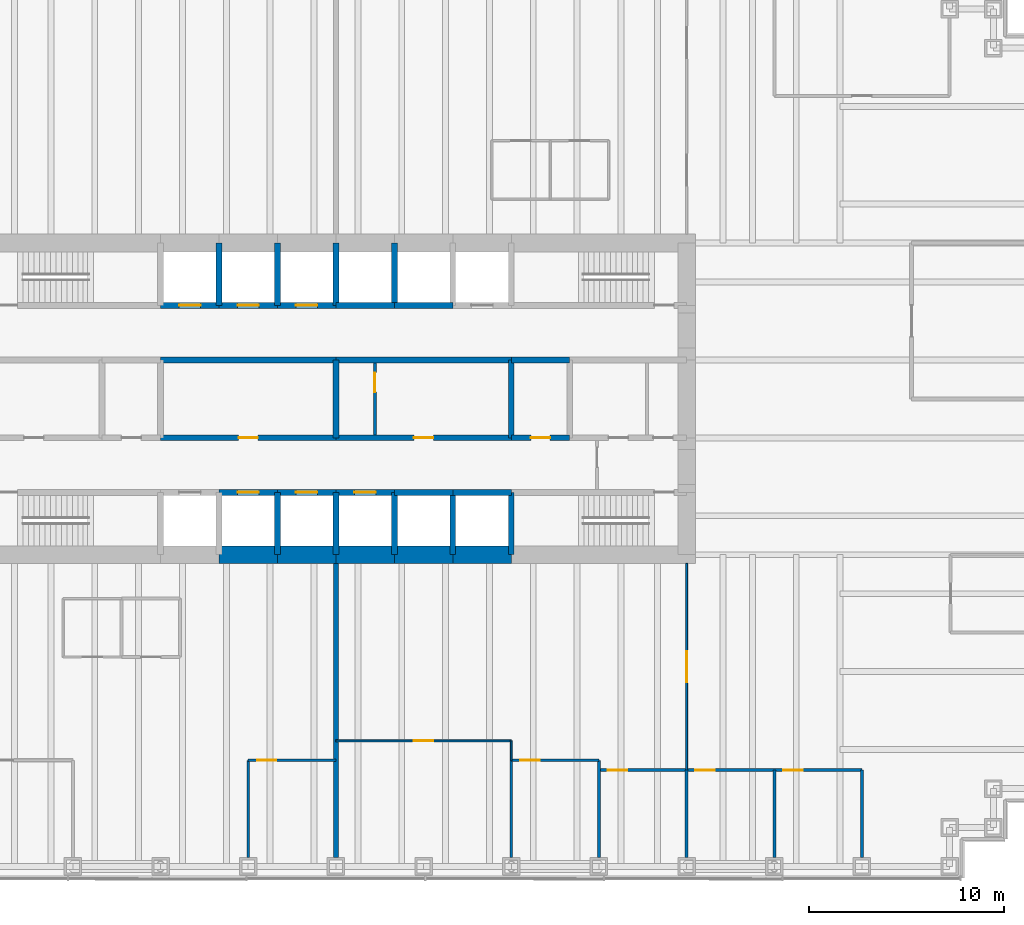
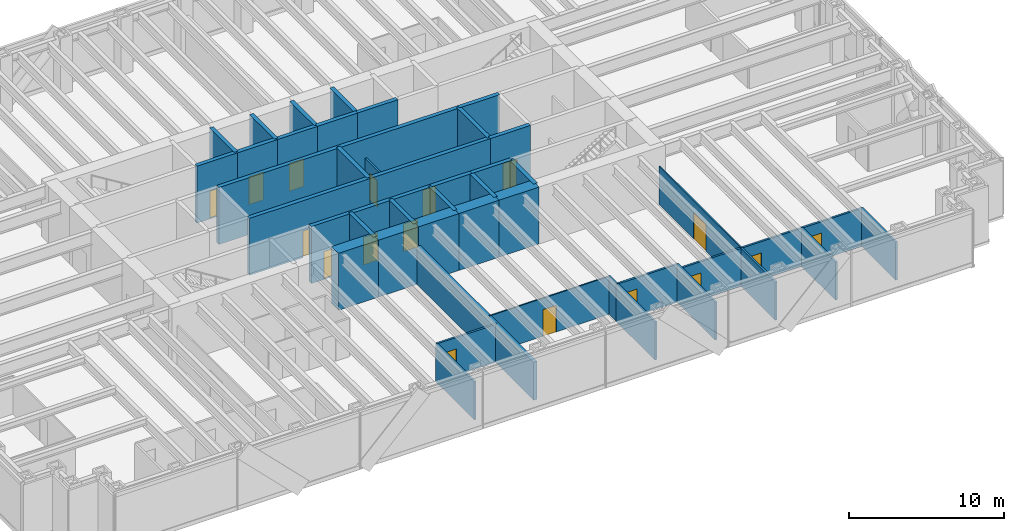
# One storey, part 10 of 13: 46 walls, 17 doors, 17 openings.
"""IFC4 building model written with IfcOpenShell, lengths in metres."""

from ifc_helpers import new_model, si_unit, direction, frame, frame_2d, origin, place, context, subcontext, project, spatial, rectangle, extrude, material, layer, layer_set, type_object, element, fill, save


model = new_model("IFC4")

# Units and contexts
model_context = context("Model", 3, precision=1e-05, world=origin(), true_north=direction((0.0, 1.0)))
body_context = subcontext(model_context, "Body", "Model", "MODEL_VIEW")
ifc_project = project(units=[si_unit("LENGTHUNIT", "METRE"), si_unit("AREAUNIT", "SQUARE_METRE"), si_unit("VOLUMEUNIT", "CUBIC_METRE"), si_unit("PLANEANGLEUNIT", "RADIAN"), si_unit("MASSUNIT", "GRAM", prefix="KILO")], contexts=[model_context])

# Site, building, storey
site_placement = place(None, origin())
site = spatial("IfcSite", under=ifc_project, at=site_placement, CompositionType="ELEMENT")
building_placement = place(site_placement, origin())
building = spatial("IfcBuilding", under=site, at=building_placement, Name="Rheinbord Bourse Tower", CompositionType="ELEMENT")
storey_placement = place(building_placement, frame((0.0, 0.0, 50.0)))
storey = spatial("IfcBuildingStorey", under=building, at=storey_placement, Name="L10", CompositionType="ELEMENT", Elevation=50.0)

# Wall, opening, door
ifc_material_1 = material(Name="Concrete C50/60", Category="concrete")
ifc_layer_1 = layer(ifc_material_1, 0.300048828125)
ifc_layer_set_1 = layer_set([ifc_layer_1], Name="CORE INNER WALL 300")
wall_type_1 = type_object("IfcWallType", Name="CORE INNER WALL 300", PredefinedType="SOLIDWALL", material=ifc_layer_set_1)
wall_1_placement = place(storey_placement, frame((30.0, 19.199951171875, 0.0), z_axis=(0.0, 0.0, 1.0), x_axis=(1.0, 0.0, 0.0)))
wall_1 = element("IfcWall", 1, at=wall_1_placement, inside=storey, type_object=wall_type_1, Name="Core wall A3 L10", PredefinedType="SOLIDWALL", context=body_context, shape_type="SweptSolid", body=[
    extrude(rectangle(XDim=3.0, YDim=0.300048828125, at=frame_2d((1.5, 0.0))), origin(), (0.0, 0.0, 1.0), 4.5),
])
opening_1_placement = place(wall_1_placement, frame((0.949951171875, 0.0, 0.0)))
opening_1 = element("IfcOpeningElement", 2, at=opening_1_placement, cuts=wall_1, Name="Opening PA1", PredefinedType="OPENING", context=body_context, shape_type="SweptSolid", body=[
    extrude(rectangle(XDim=1.10009765625, YDim=2.199951171875, at=frame_2d((0.550048828125, 1.10009765625))), frame((0.0, 0.159912109375, 0.0), z_axis=(0.0, -1.0, 0.0), x_axis=(1.0, 0.0, 0.0)), (0.0, 0.0, 1.0), 0.320068359375),
])
ifc_material_2 = material(Name="Steel landing door", Category="steel")
door_type_1 = type_object("IfcDoorType", Name="LIFT LANDING DOOR 1100", OperationType="DOUBLE_DOOR_SLIDING", PredefinedType="USERDEFINED", material=ifc_material_2)
door_1_placement = place(opening_1_placement, origin())
door_1 = element("IfcDoor", 3, at=door_1_placement, inside=storey, type_object=door_type_1, Name="Lift landing door PA1 L10", ObjectType="LIFT LANDING DOOR", OperationType="DOUBLE_DOOR_SLIDING", OverallHeight=2.199951171875, OverallWidth=1.10009765625, PredefinedType="USERDEFINED", context=body_context, shape_type="SweptSolid", body=[
    extrude(rectangle(XDim=1.10009765625, YDim=2.199951171875, at=frame_2d((0.550048828125, 1.10009765625))), frame((0.0, 0.02490234375, 0.0), z_axis=(0.0, -1.0, 0.0), x_axis=(1.0, 0.0, 0.0)), (0.0, 0.0, 1.0), 0.050048828125),
])
fill(opening_1, door_1)

wall_2_placement = place(storey_placement, frame((33.0, 19.199951171875, 0.0), z_axis=(0.0, 0.0, 1.0), x_axis=(1.0, 0.0, 0.0)))
wall_2 = element("IfcWall", 4, at=wall_2_placement, inside=storey, type_object=wall_type_1, Name="Core wall A4 L10", PredefinedType="SOLIDWALL", context=body_context, shape_type="SweptSolid", body=[
    extrude(rectangle(XDim=3.0, YDim=0.300048828125, at=frame_2d((1.5, 0.0))), origin(), (0.0, 0.0, 1.0), 4.5),
])
opening_2_placement = place(wall_2_placement, frame((0.949951171875, 0.0, 0.0)))
opening_2 = element("IfcOpeningElement", 5, at=opening_2_placement, cuts=wall_2, Name="Opening PA2", PredefinedType="OPENING", context=body_context, shape_type="SweptSolid", body=[
    extrude(rectangle(XDim=1.10009765625, YDim=2.199951171875, at=frame_2d((0.550048828125, 1.10009765625))), frame((0.0, 0.159912109375, 0.0), z_axis=(0.0, -1.0, 0.0), x_axis=(1.0, 0.0, 0.0)), (0.0, 0.0, 1.0), 0.320068359375),
])
door_2_placement = place(opening_2_placement, origin())
door_2 = element("IfcDoor", 6, at=door_2_placement, inside=storey, type_object=door_type_1, Name="Lift landing door PA2 L10", ObjectType="LIFT LANDING DOOR", OperationType="DOUBLE_DOOR_SLIDING", OverallHeight=2.199951171875, OverallWidth=1.10009765625, PredefinedType="USERDEFINED", context=body_context, shape_type="SweptSolid", body=[
    extrude(rectangle(XDim=1.10009765625, YDim=2.199951171875, at=frame_2d((0.550048828125, 1.10009765625))), frame((0.0, 0.02490234375, 0.0), z_axis=(0.0, -1.0, 0.0), x_axis=(1.0, 0.0, 0.0)), (0.0, 0.0, 1.0), 0.050048828125),
])
fill(opening_2, door_2)

wall_3_placement = place(storey_placement, frame((36.0, 19.199951171875, 0.0), z_axis=(0.0, 0.0, 1.0), x_axis=(1.0, 0.0, 0.0)))
wall_3 = element("IfcWall", 7, at=wall_3_placement, inside=storey, type_object=wall_type_1, Name="Core wall A5 L10", PredefinedType="SOLIDWALL", context=body_context, shape_type="SweptSolid", body=[
    extrude(rectangle(XDim=3.0, YDim=0.300048828125, at=frame_2d((1.5, 0.0))), origin(), (0.0, 0.0, 1.0), 4.5),
])
opening_3_placement = place(wall_3_placement, frame((0.949951171875, 0.0, 0.0)))
opening_3 = element("IfcOpeningElement", 8, at=opening_3_placement, cuts=wall_3, Name="Opening PA3", PredefinedType="OPENING", context=body_context, shape_type="SweptSolid", body=[
    extrude(rectangle(XDim=1.10009765625, YDim=2.199951171875, at=frame_2d((0.550048828125, 1.10009765625))), frame((0.0, 0.159912109375, 0.0), z_axis=(0.0, -1.0, 0.0), x_axis=(1.0, 0.0, 0.0)), (0.0, 0.0, 1.0), 0.320068359375),
])
door_3_placement = place(opening_3_placement, origin())
door_3 = element("IfcDoor", 9, at=door_3_placement, inside=storey, type_object=door_type_1, Name="Lift landing door PA3 L10", ObjectType="LIFT LANDING DOOR", OperationType="DOUBLE_DOOR_SLIDING", OverallHeight=2.199951171875, OverallWidth=1.10009765625, PredefinedType="USERDEFINED", context=body_context, shape_type="SweptSolid", body=[
    extrude(rectangle(XDim=1.10009765625, YDim=2.199951171875, at=frame_2d((0.550048828125, 1.10009765625))), frame((0.0, 0.02490234375, 0.0), z_axis=(0.0, -1.0, 0.0), x_axis=(1.0, 0.0, 0.0)), (0.0, 0.0, 1.0), 0.050048828125),
])
fill(opening_3, door_3)

# Walls
for number, where, z_axis, x_axis, name in (
    (10, (39.0, 19.199951171875, 0.0), (0.0, 0.0, 1.0), (1.0, 0.0, 0.0), "Core wall A6 L10"),
    (11, (42.0, 19.199951171875, 0.0), (0.0, 0.0, 1.0), (1.0, 0.0, 0.0), "Core wall A7 L10"),
):
    element("IfcWall", number, at=place(storey_placement, frame(where, z_axis=z_axis, x_axis=x_axis)), inside=storey, type_object=wall_type_1, Name=name, PredefinedType="SOLIDWALL", context=body_context, shape_type="SweptSolid", body=[
        extrude(rectangle(XDim=3.0, YDim=0.300048828125, at=frame_2d((1.5, 0.0))), origin(), (0.0, 0.0, 1.0), 4.5),
    ])

# Wall, opening, door
wall_4_placement = place(storey_placement, frame((27.0, 28.800048828125, 0.0), z_axis=(0.0, 0.0, 1.0), x_axis=(1.0, 0.0, 0.0)))
wall_4 = element("IfcWall", 12, at=wall_4_placement, inside=storey, type_object=wall_type_1, Name="Core wall B2 L10", PredefinedType="SOLIDWALL", context=body_context, shape_type="SweptSolid", body=[
    extrude(rectangle(XDim=3.0, YDim=0.300048828125, at=frame_2d((1.5, 0.0))), origin(), (0.0, 0.0, 1.0), 4.5),
])
opening_4_placement = place(wall_4_placement, frame((0.949951171875, 0.0, 0.0)))
opening_4 = element("IfcOpeningElement", 13, at=opening_4_placement, cuts=wall_4, Name="Opening GL1", PredefinedType="OPENING", context=body_context, shape_type="SweptSolid", body=[
    extrude(rectangle(XDim=1.10009765625, YDim=2.199951171875, at=frame_2d((0.550048828125, 1.10009765625))), frame((0.0, 0.159912109375, 0.0), z_axis=(0.0, -1.0, 0.0), x_axis=(1.0, 0.0, 0.0)), (0.0, 0.0, 1.0), 0.320068359375),
])
door_4_placement = place(opening_4_placement, origin())
door_4 = element("IfcDoor", 14, at=door_4_placement, inside=storey, type_object=door_type_1, Name="Lift landing door GL1 L10", ObjectType="LIFT LANDING DOOR", OperationType="DOUBLE_DOOR_SLIDING", OverallHeight=2.199951171875, OverallWidth=1.10009765625, PredefinedType="USERDEFINED", context=body_context, shape_type="SweptSolid", body=[
    extrude(rectangle(XDim=1.10009765625, YDim=2.199951171875, at=frame_2d((0.550048828125, 1.10009765625))), frame((0.0, 0.02490234375, 0.0), z_axis=(0.0, -1.0, 0.0), x_axis=(1.0, 0.0, 0.0)), (0.0, 0.0, 1.0), 0.050048828125),
])
fill(opening_4, door_4)

wall_5_placement = place(storey_placement, frame((30.0, 28.800048828125, 0.0), z_axis=(0.0, 0.0, 1.0), x_axis=(1.0, 0.0, 0.0)))
wall_5 = element("IfcWall", 15, at=wall_5_placement, inside=storey, type_object=wall_type_1, Name="Core wall B3 L10", PredefinedType="SOLIDWALL", context=body_context, shape_type="SweptSolid", body=[
    extrude(rectangle(XDim=3.0, YDim=0.300048828125, at=frame_2d((1.5, 0.0))), origin(), (0.0, 0.0, 1.0), 4.5),
])
opening_5_placement = place(wall_5_placement, frame((0.949951171875, 0.0, 0.0)))
opening_5 = element("IfcOpeningElement", 16, at=opening_5_placement, cuts=wall_5, Name="Opening PA4", PredefinedType="OPENING", context=body_context, shape_type="SweptSolid", body=[
    extrude(rectangle(XDim=1.10009765625, YDim=2.199951171875, at=frame_2d((0.550048828125, 1.10009765625))), frame((0.0, 0.159912109375, 0.0), z_axis=(0.0, -1.0, 0.0), x_axis=(1.0, 0.0, 0.0)), (0.0, 0.0, 1.0), 0.320068359375),
])
door_5_placement = place(opening_5_placement, origin())
door_5 = element("IfcDoor", 17, at=door_5_placement, inside=storey, type_object=door_type_1, Name="Lift landing door PA4 L10", ObjectType="LIFT LANDING DOOR", OperationType="DOUBLE_DOOR_SLIDING", OverallHeight=2.199951171875, OverallWidth=1.10009765625, PredefinedType="USERDEFINED", context=body_context, shape_type="SweptSolid", body=[
    extrude(rectangle(XDim=1.10009765625, YDim=2.199951171875, at=frame_2d((0.550048828125, 1.10009765625))), frame((0.0, 0.02490234375, 0.0), z_axis=(0.0, -1.0, 0.0), x_axis=(1.0, 0.0, 0.0)), (0.0, 0.0, 1.0), 0.050048828125),
])
fill(opening_5, door_5)

wall_6_placement = place(storey_placement, frame((33.0, 28.800048828125, 0.0), z_axis=(0.0, 0.0, 1.0), x_axis=(1.0, 0.0, 0.0)))
wall_6 = element("IfcWall", 18, at=wall_6_placement, inside=storey, type_object=wall_type_1, Name="Core wall B4 L10", PredefinedType="SOLIDWALL", context=body_context, shape_type="SweptSolid", body=[
    extrude(rectangle(XDim=3.0, YDim=0.300048828125, at=frame_2d((1.5, 0.0))), origin(), (0.0, 0.0, 1.0), 4.5),
])
opening_6_placement = place(wall_6_placement, frame((0.949951171875, 0.0, 0.0)))
opening_6 = element("IfcOpeningElement", 19, at=opening_6_placement, cuts=wall_6, Name="Opening PA5", PredefinedType="OPENING", context=body_context, shape_type="SweptSolid", body=[
    extrude(rectangle(XDim=1.10009765625, YDim=2.199951171875, at=frame_2d((0.550048828125, 1.10009765625))), frame((0.0, 0.159912109375, 0.0), z_axis=(0.0, -1.0, 0.0), x_axis=(1.0, 0.0, 0.0)), (0.0, 0.0, 1.0), 0.320068359375),
])
door_6_placement = place(opening_6_placement, origin())
door_6 = element("IfcDoor", 20, at=door_6_placement, inside=storey, type_object=door_type_1, Name="Lift landing door PA5 L10", ObjectType="LIFT LANDING DOOR", OperationType="DOUBLE_DOOR_SLIDING", OverallHeight=2.199951171875, OverallWidth=1.10009765625, PredefinedType="USERDEFINED", context=body_context, shape_type="SweptSolid", body=[
    extrude(rectangle(XDim=1.10009765625, YDim=2.199951171875, at=frame_2d((0.550048828125, 1.10009765625))), frame((0.0, 0.02490234375, 0.0), z_axis=(0.0, -1.0, 0.0), x_axis=(1.0, 0.0, 0.0)), (0.0, 0.0, 1.0), 0.050048828125),
])
fill(opening_6, door_6)

# Walls
for number, where, z_axis, x_axis, name in (
    (21, (36.0, 28.800048828125, 0.0), (0.0, 0.0, 1.0), (1.0, 0.0, 0.0), "Core wall B5 L10"),
    (22, (39.0, 28.800048828125, 0.0), (0.0, 0.0, 1.0), (1.0, 0.0, 0.0), "Core wall B6 L10"),
):
    element("IfcWall", number, at=place(storey_placement, frame(where, z_axis=z_axis, x_axis=x_axis)), inside=storey, type_object=wall_type_1, Name=name, PredefinedType="SOLIDWALL", context=body_context, shape_type="SweptSolid", body=[
        extrude(rectangle(XDim=3.0, YDim=0.300048828125, at=frame_2d((1.5, 0.0))), origin(), (0.0, 0.0, 1.0), 4.5),
    ])

# Wall, opening, door
wall_7_placement = place(storey_placement, frame((27.0, 22.0, 0.0), z_axis=(0.0, 0.0, 1.0), x_axis=(1.0, 0.0, 0.0)))
wall_7 = element("IfcWall", 23, at=wall_7_placement, inside=storey, type_object=wall_type_1, Name="Core wall C3 L10", PredefinedType="SOLIDWALL", context=body_context, shape_type="SweptSolid", body=[
    extrude(rectangle(XDim=9.0, YDim=0.300048828125, at=frame_2d((4.5, 0.0))), origin(), (0.0, 0.0, 1.0), 4.5),
])
opening_7_placement = place(wall_7_placement, frame((4.0, 0.0, 0.0)))
opening_7 = element("IfcOpeningElement", 24, at=opening_7_placement, cuts=wall_7, Name="Opening 10R3", PredefinedType="OPENING", context=body_context, shape_type="SweptSolid", body=[
    extrude(rectangle(XDim=1.0, YDim=2.10009765625, at=frame_2d((0.5, 1.050048828125))), frame((0.0, 0.159912109375, 0.0), z_axis=(0.0, -1.0, 0.0), x_axis=(1.0, 0.0, 0.0)), (0.0, 0.0, 1.0), 0.320068359375),
])
ifc_material_3 = material(Name="Steel door", Category="steel")
door_type_2 = type_object("IfcDoorType", Name="DOOR 1000 EI30", OperationType="SINGLE_SWING_LEFT", PredefinedType="DOOR", material=ifc_material_3)
door_7_placement = place(opening_7_placement, origin())
door_7 = element("IfcDoor", 25, at=door_7_placement, inside=storey, type_object=door_type_2, Name="Riser door L10", OperationType="SINGLE_SWING_LEFT", OverallHeight=2.10009765625, OverallWidth=1.0, PredefinedType="DOOR", context=body_context, shape_type="SweptSolid", body=[
    extrude(rectangle(XDim=1.0, YDim=2.10009765625, at=frame_2d((0.5, 1.050048828125))), frame((0.0, 0.02490234375, 0.0), z_axis=(0.0, -1.0, 0.0), x_axis=(1.0, 0.0, 0.0)), (0.0, 0.0, 1.0), 0.050048828125),
])
fill(opening_7, door_7)

wall_8_placement = place(storey_placement, frame((36.0, 22.0, 0.0), z_axis=(0.0, 0.0, 1.0), x_axis=(1.0, 0.0, 0.0)))
wall_8 = element("IfcWall", 26, at=wall_8_placement, inside=storey, type_object=wall_type_1, Name="Core wall C4 L10", PredefinedType="SOLIDWALL", context=body_context, shape_type="SweptSolid", body=[
    extrude(rectangle(XDim=9.0, YDim=0.300048828125, at=frame_2d((4.5, 0.0))), origin(), (0.0, 0.0, 1.0), 4.5),
])
opening_8_placement = place(wall_8_placement, frame((4.0, 0.0, 0.0)))
opening_8 = element("IfcOpeningElement", 27, at=opening_8_placement, cuts=wall_8, Name="Opening 10R4", PredefinedType="OPENING", context=body_context, shape_type="SweptSolid", body=[
    extrude(rectangle(XDim=1.0, YDim=2.10009765625, at=frame_2d((0.5, 1.050048828125))), frame((0.0, 0.159912109375, 0.0), z_axis=(0.0, -1.0, 0.0), x_axis=(1.0, 0.0, 0.0)), (0.0, 0.0, 1.0), 0.320068359375),
])
door_8_placement = place(opening_8_placement, origin())
door_8 = element("IfcDoor", 28, at=door_8_placement, inside=storey, type_object=door_type_2, Name="Staff locker room door L10", OperationType="SINGLE_SWING_LEFT", OverallHeight=2.10009765625, OverallWidth=1.0, PredefinedType="DOOR", context=body_context, shape_type="SweptSolid", body=[
    extrude(rectangle(XDim=1.0, YDim=2.10009765625, at=frame_2d((0.5, 1.050048828125))), frame((0.0, 0.02490234375, 0.0), z_axis=(0.0, -1.0, 0.0), x_axis=(1.0, 0.0, 0.0)), (0.0, 0.0, 1.0), 0.050048828125),
])
fill(opening_8, door_8)

wall_9_placement = place(storey_placement, frame((45.0, 22.0, 0.0), z_axis=(0.0, 0.0, 1.0), x_axis=(1.0, 0.0, 0.0)))
wall_9 = element("IfcWall", 29, at=wall_9_placement, inside=storey, type_object=wall_type_1, Name="Core wall C5 L10", PredefinedType="SOLIDWALL", context=body_context, shape_type="SweptSolid", body=[
    extrude(rectangle(XDim=3.0, YDim=0.300048828125, at=frame_2d((1.5, 0.0))), origin(), (0.0, 0.0, 1.0), 4.5),
])
opening_9_placement = place(wall_9_placement, frame((1.0, 0.0, 0.0)))
opening_9 = element("IfcOpeningElement", 30, at=opening_9_placement, cuts=wall_9, Name="Opening 10R5", PredefinedType="OPENING", context=body_context, shape_type="SweptSolid", body=[
    extrude(rectangle(XDim=1.0, YDim=2.10009765625, at=frame_2d((0.5, 1.050048828125))), frame((0.0, 0.159912109375, 0.0), z_axis=(0.0, -1.0, 0.0), x_axis=(1.0, 0.0, 0.0)), (0.0, 0.0, 1.0), 0.320068359375),
])
ifc_material_4 = material(Name="Timber door", Category="wood")
door_type_3 = type_object("IfcDoorType", Name="DOOR 1000 WC", OperationType="SINGLE_SWING_LEFT", PredefinedType="DOOR", material=ifc_material_4)
door_9_placement = place(opening_9_placement, origin())
door_9 = element("IfcDoor", 31, at=door_9_placement, inside=storey, type_object=door_type_3, Name="Accessible WC door L10", OperationType="SINGLE_SWING_LEFT", OverallHeight=2.10009765625, OverallWidth=1.0, PredefinedType="DOOR", context=body_context, shape_type="SweptSolid", body=[
    extrude(rectangle(XDim=1.0, YDim=2.10009765625, at=frame_2d((0.5, 1.050048828125))), frame((0.0, 0.02490234375, 0.0), z_axis=(0.0, -1.0, 0.0), x_axis=(1.0, 0.0, 0.0)), (0.0, 0.0, 1.0), 0.050048828125),
])
fill(opening_9, door_9)

# Walls
for number, where, z_axis, x_axis, name in (
    (32, (27.0, 26.0, 0.0), (0.0, 0.0, 1.0), (1.0, 0.0, 0.0), "Core wall D3 L10"),
    (33, (36.0, 26.0, 0.0), (0.0, 0.0, 1.0), (1.0, 0.0, 0.0), "Core wall D4 L10"),
):
    element("IfcWall", number, at=place(storey_placement, frame(where, z_axis=z_axis, x_axis=x_axis)), inside=storey, type_object=wall_type_1, Name=name, PredefinedType="SOLIDWALL", context=body_context, shape_type="SweptSolid", body=[
        extrude(rectangle(XDim=9.0, YDim=0.300048828125, at=frame_2d((4.5, 0.0))), origin(), (0.0, 0.0, 1.0), 4.5),
    ])
wall_10_placement = place(storey_placement, frame((45.0, 26.0, 0.0), z_axis=(0.0, 0.0, 1.0), x_axis=(1.0, 0.0, 0.0)))
element("IfcWall", 34, at=wall_10_placement, inside=storey, type_object=wall_type_1, Name="Core wall D5 L10", PredefinedType="SOLIDWALL", context=body_context, shape_type="SweptSolid", body=[
    extrude(rectangle(XDim=3.0, YDim=0.300048828125, at=frame_2d((1.5, 0.0))), origin(), (0.0, 0.0, 1.0), 4.5),
])
for number, where, z_axis, x_axis, name in (
    (35, (30.0, 28.800048828125, 0.0), (0.0, 0.0, 1.0), (0.0, 1.0, 0.0), "Core wall NX30 L10"),
    (36, (33.0, 16.0, 0.0), (0.0, 0.0, 1.0), (0.0, 1.0, 0.0), "Core wall SX33 L10"),
    (37, (33.0, 28.800048828125, 0.0), (0.0, 0.0, 1.0), (0.0, 1.0, 0.0), "Core wall NX33 L10"),
    (38, (36.0, 16.0, 0.0), (0.0, 0.0, 1.0), (0.0, 1.0, 0.0), "Core wall SX36 L10"),
    (39, (36.0, 28.800048828125, 0.0), (0.0, 0.0, 1.0), (0.0, 1.0, 0.0), "Core wall NX36 L10"),
    (40, (39.0, 16.0, 0.0), (0.0, 0.0, 1.0), (0.0, 1.0, 0.0), "Core wall SX39 L10"),
    (41, (39.0, 28.800048828125, 0.0), (0.0, 0.0, 1.0), (0.0, 1.0, 0.0), "Core wall NX39 L10"),
    (42, (42.0, 16.0, 0.0), (0.0, 0.0, 1.0), (0.0, 1.0, 0.0), "Core wall SX42 L10"),
    (43, (45.0, 16.0, 0.0), (0.0, 0.0, 1.0), (0.0, 1.0, 0.0), "Core wall SX45 L10"),
):
    element("IfcWall", number, at=place(storey_placement, frame(where, z_axis=z_axis, x_axis=x_axis)), inside=storey, type_object=wall_type_1, Name=name, PredefinedType="SOLIDWALL", context=body_context, shape_type="SweptSolid", body=[
        extrude(rectangle(XDim=3.199951171875, YDim=0.300048828125, at=frame_2d((1.60009765625, 0.0))), origin(), (0.0, 0.0, 1.0), 4.5),
    ])
for number, where, z_axis, x_axis, name in (
    (44, (36.0, 22.0, 0.0), (0.0, 0.0, 1.0), (0.0, 1.0, 0.0), "Core wall MX36 L10"),
    (45, (45.0, 22.0, 0.0), (0.0, 0.0, 1.0), (0.0, 1.0, 0.0), "Core wall MX45 L10"),
):
    element("IfcWall", number, at=place(storey_placement, frame(where, z_axis=z_axis, x_axis=x_axis)), inside=storey, type_object=wall_type_1, Name=name, PredefinedType="SOLIDWALL", context=body_context, shape_type="SweptSolid", body=[
        extrude(rectangle(XDim=4.0, YDim=0.300048828125, at=frame_2d((2.0, 0.0))), origin(), (0.0, 0.0, 1.0), 4.5),
    ])

# Wall, opening, door
ifc_material_5 = material(Name="Gypsum board fire partition", Category="gypsum board")
ifc_layer_2 = layer(ifc_material_5, 0.14990234375)
ifc_layer_set_2 = layer_set([ifc_layer_2], Name="CORE PARTITION 150 EI30")
wall_type_2 = type_object("IfcWallType", Name="CORE PARTITION 150 EI30", PredefinedType="PARTITIONING", material=ifc_layer_set_2)
wall_11_placement = place(storey_placement, frame((38.0, 22.14990234375, 0.0), z_axis=(0.0, 0.0, 1.0), x_axis=(0.0, 1.0, 0.0)))
wall_11 = element("IfcWall", 46, at=wall_11_placement, inside=storey, type_object=wall_type_2, Name="Core partition L10-1", PredefinedType="PARTITIONING", context=body_context, shape_type="SweptSolid", body=[
    extrude(rectangle(XDim=3.7001953125, YDim=0.14990234375, at=frame_2d((1.85009765625, 0.0))), origin(), (0.0, 0.0, 1.0), 3.0),
])
opening_10_placement = place(wall_11_placement, frame((2.199951171875, 0.0, 0.0)))
opening_10 = element("IfcOpeningElement", 47, at=opening_10_placement, cuts=wall_11, Name="Opening 10R7", PredefinedType="OPENING", context=body_context, shape_type="SweptSolid", body=[
    extrude(rectangle(XDim=1.0, YDim=2.10009765625, at=frame_2d((0.5, 1.050048828125))), frame((0.0, 0.0849609375, 0.0), z_axis=(0.0, -1.0, 0.0), x_axis=(1.0, 0.0, 0.0)), (0.0, 0.0, 1.0), 0.169921875),
])
door_10_placement = place(opening_10_placement, origin())
door_10 = element("IfcDoor", 48, at=door_10_placement, inside=storey, type_object=door_type_2, Name="Staff shower door L10", OperationType="SINGLE_SWING_RIGHT", OverallHeight=2.10009765625, OverallWidth=1.0, PredefinedType="DOOR", context=body_context, shape_type="SweptSolid", body=[
    extrude(rectangle(XDim=1.0, YDim=2.10009765625, at=frame_2d((0.5, 1.050048828125))), frame((0.0, 0.02490234375, 0.0), z_axis=(0.0, -1.0, 0.0), x_axis=(1.0, 0.0, 0.0)), (0.0, 0.0, 1.0), 0.050048828125),
])
fill(opening_10, door_10)

# Walls
ifc_material_6 = material(Name="Concrete C50/60", Category="concrete")
ifc_layer_3 = layer(ifc_material_6, 0.89990234375)
ifc_layer_set_3 = layer_set([ifc_layer_3], Name="CORE WALL 900")
wall_type_3 = type_object("IfcWallType", Name="CORE WALL 900", PredefinedType="SHEAR", material=ifc_layer_set_3)
for number, where, z_axis, x_axis, name in (
    (49, (30.0, 16.0, 0.0), (0.0, 0.0, 1.0), (1.0, 0.0, 0.0), "Core wall S3 L10"),
    (50, (33.0, 16.0, 0.0), (0.0, 0.0, 1.0), (1.0, 0.0, 0.0), "Core wall S4 L10"),
    (51, (36.0, 16.0, 0.0), (0.0, 0.0, 1.0), (1.0, 0.0, 0.0), "Core wall S5 L10"),
    (52, (39.0, 16.0, 0.0), (0.0, 0.0, 1.0), (1.0, 0.0, 0.0), "Core wall S6 L10"),
    (53, (42.0, 16.0, 0.0), (0.0, 0.0, 1.0), (1.0, 0.0, 0.0), "Core wall S7 L10"),
):
    element("IfcWall", number, at=place(storey_placement, frame(where, z_axis=z_axis, x_axis=x_axis)), inside=storey, type_object=wall_type_3, Name=name, PredefinedType="SHEAR", context=body_context, shape_type="SweptSolid", body=[
        extrude(rectangle(XDim=3.0, YDim=0.89990234375, at=frame_2d((1.5, 0.0))), origin(), (0.0, 0.0, 1.0), 4.5),
    ])
ifc_material_7 = material(Name="Gypsum board tenancy wall", Category="gypsum board")
ifc_layer_4 = layer(ifc_material_7, 0.25)
ifc_layer_set_4 = layer_set([ifc_layer_4], Name="DEMISING PARTITION 250 EI60")
wall_type_4 = type_object("IfcWallType", Name="DEMISING PARTITION 250 EI60", PredefinedType="PARTITIONING", material=ifc_layer_set_4)
wall_12_placement = place(storey_placement, frame((36.0, 0.449951171875, 0.0), z_axis=(0.0, 0.0, 1.0), x_axis=(0.0, 1.0, 0.0)))
element("IfcWall", 54, at=wall_12_placement, inside=storey, type_object=wall_type_4, Name="Partition L10-38", PredefinedType="PARTITIONING", context=body_context, shape_type="SweptSolid", body=[
    extrude(rectangle(XDim=15.10009765625, YDim=0.25, at=frame_2d((7.550048828125, 0.0))), origin(), (0.0, 0.0, 1.0), 3.0),
])

# Wall, opening, door
ifc_material_8 = material(Name="Toughened laminated glass partition", Category="glass")
ifc_layer_5 = layer(ifc_material_8, 0.10009765625)
ifc_layer_set_5 = layer_set([ifc_layer_5], Name="GLAZED PARTITION 100")
wall_type_5 = type_object("IfcWallType", Name="GLAZED PARTITION 100", PredefinedType="PARTITIONING", material=ifc_layer_set_5)
wall_13_placement = place(storey_placement, frame((36.0, 6.449951171875, 0.0), z_axis=(0.0, 0.0, 1.0), x_axis=(1.0, 0.0, 0.0)))
wall_13 = element("IfcWall", 55, at=wall_13_placement, inside=storey, type_object=wall_type_5, Name="Partition L10-05", PredefinedType="PARTITIONING", context=body_context, shape_type="SweptSolid", body=[
    extrude(rectangle(XDim=9.0, YDim=0.10009765625, at=frame_2d((4.5, 0.0))), origin(), (0.0, 0.0, 1.0), 3.0),
])
opening_11_placement = place(wall_13_placement, frame((4.0, 0.0, 0.0)))
opening_11 = element("IfcOpeningElement", 56, at=opening_11_placement, cuts=wall_13, Name="Opening 10D09", PredefinedType="OPENING", context=body_context, shape_type="SweptSolid", body=[
    extrude(rectangle(XDim=1.0, YDim=2.10009765625, at=frame_2d((0.5, 1.050048828125))), frame((0.0, 0.06005859375, 0.0), z_axis=(0.0, -1.0, 0.0), x_axis=(1.0, 0.0, 0.0)), (0.0, 0.0, 1.0), 0.1201171875),
])
ifc_material_9 = material(Name="Timber door", Category="wood")
door_type_4 = type_object("IfcDoorType", Name="ROOM DOOR 1000", OperationType="SINGLE_SWING_LEFT", PredefinedType="DOOR", material=ifc_material_9)
door_11_placement = place(opening_11_placement, origin())
door_11 = element("IfcDoor", 57, at=door_11_placement, inside=storey, type_object=door_type_4, Name="Meeting room door L10", OperationType="SINGLE_SWING_LEFT", OverallHeight=2.10009765625, OverallWidth=1.0, PredefinedType="DOOR", context=body_context, shape_type="SweptSolid", body=[
    extrude(rectangle(XDim=1.0, YDim=2.10009765625, at=frame_2d((0.5, 1.050048828125))), frame((0.0, 0.02490234375, 0.0), z_axis=(0.0, -1.0, 0.0), x_axis=(1.0, 0.0, 0.0)), (0.0, 0.0, 1.0), 0.050048828125),
])
fill(opening_11, door_11)

# Wall
wall_14_placement = place(storey_placement, frame((45.0, 5.449951171875, 0.0), z_axis=(0.0, 0.0, 1.0), x_axis=(0.0, 1.0, 0.0)))
element("IfcWall", 58, at=wall_14_placement, inside=storey, type_object=wall_type_5, Name="Partition L10-42", PredefinedType="PARTITIONING", context=body_context, shape_type="SweptSolid", body=[
    extrude(rectangle(XDim=1.0, YDim=0.10009765625, at=frame_2d((0.5, 0.0))), origin(), (0.0, 0.0, 1.0), 3.0),
])

# Wall, opening, door
wall_15_placement = place(storey_placement, frame((54.0, 4.949951171875, 0.0), z_axis=(0.0, 0.0, 1.0), x_axis=(0.0, 1.0, 0.0)))
wall_15 = element("IfcWall", 59, at=wall_15_placement, inside=storey, type_object=wall_type_5, Name="Partition L10-47", PredefinedType="PARTITIONING", context=body_context, shape_type="SweptSolid", body=[
    extrude(rectangle(XDim=10.60009765625, YDim=0.10009765625, at=frame_2d((5.300048828125, 0.0))), origin(), (0.0, 0.0, 1.0), 3.0),
])
opening_12_placement = place(wall_15_placement, frame((4.5, 0.0, 0.0)))
opening_12 = element("IfcOpeningElement", 60, at=opening_12_placement, cuts=wall_15, Name="Opening 10D23", PredefinedType="OPENING", context=body_context, shape_type="SweptSolid", body=[
    extrude(rectangle(XDim=1.60009765625, YDim=2.10009765625, at=frame_2d((0.800048828125, 1.050048828125))), frame((0.0, 0.06005859375, 0.0), z_axis=(0.0, -1.0, 0.0), x_axis=(1.0, 0.0, 0.0)), (0.0, 0.0, 1.0), 0.1201171875),
])
ifc_material_10 = material(Name="Timber door", Category="wood")
door_type_5 = type_object("IfcDoorType", Name="DOUBLE ROOM DOOR 1600", OperationType="DOUBLE_DOOR_DOUBLE_SWING", PredefinedType="DOOR", material=ifc_material_10)
door_12_placement = place(opening_12_placement, origin())
door_12 = element("IfcDoor", 61, at=door_12_placement, inside=storey, type_object=door_type_5, Name="Open area door L10", OperationType="SINGLE_SWING_LEFT", OverallHeight=2.10009765625, OverallWidth=1.60009765625, PredefinedType="DOOR", context=body_context, shape_type="SweptSolid", body=[
    extrude(rectangle(XDim=1.60009765625, YDim=2.10009765625, at=frame_2d((0.800048828125, 1.050048828125))), frame((0.0, 0.02490234375, 0.0), z_axis=(0.0, -1.0, 0.0), x_axis=(1.0, 0.0, 0.0)), (0.0, 0.0, 1.0), 0.050048828125),
])
fill(opening_12, door_12)

# Wall, openings, doors
ifc_material_11 = material(Name="Gypsum board partition", Category="gypsum board")
ifc_layer_6 = layer(ifc_material_11, 0.14990234375)
ifc_layer_set_6 = layer_set([ifc_layer_6], Name="PARTITION 150")
wall_type_6 = type_object("IfcWallType", Name="PARTITION 150", PredefinedType="PARTITIONING", material=ifc_layer_set_6)
wall_16_placement = place(storey_placement, frame((49.5, 4.949951171875, 0.0), z_axis=(0.0, 0.0, 1.0), x_axis=(1.0, 0.0, 0.0)))
wall_16 = element("IfcWall", 62, at=wall_16_placement, inside=storey, type_object=wall_type_6, Name="Partition L10-01", PredefinedType="PARTITIONING", context=body_context, shape_type="SweptSolid", body=[
    extrude(rectangle(XDim=13.5, YDim=0.14990234375, at=frame_2d((6.75, 0.0))), origin(), (0.0, 0.0, 1.0), 3.0),
])
opening_13_placement = place(wall_16_placement, frame((0.449951171875, 0.0, 0.0)))
opening_13 = element("IfcOpeningElement", 63, at=opening_13_placement, cuts=wall_16, Name="Opening 10D01", PredefinedType="OPENING", context=body_context, shape_type="SweptSolid", body=[
    extrude(rectangle(XDim=1.0, YDim=2.10009765625, at=frame_2d((0.5, 1.050048828125))), frame((0.0, 0.0849609375, 0.0), z_axis=(0.0, -1.0, 0.0), x_axis=(1.0, 0.0, 0.0)), (0.0, 0.0, 1.0), 0.169921875),
])
opening_14_placement = place(wall_16_placement, frame((4.949951171875, 0.0, 0.0)))
opening_14 = element("IfcOpeningElement", 64, at=opening_14_placement, cuts=wall_16, Name="Opening 10D02", PredefinedType="OPENING", context=body_context, shape_type="SweptSolid", body=[
    extrude(rectangle(XDim=1.0, YDim=2.10009765625, at=frame_2d((0.5, 1.050048828125))), frame((0.0, 0.0849609375, 0.0), z_axis=(0.0, -1.0, 0.0), x_axis=(1.0, 0.0, 0.0)), (0.0, 0.0, 1.0), 0.169921875),
])
opening_15_placement = place(wall_16_placement, frame((9.449951171875, 0.0, 0.0)))
opening_15 = element("IfcOpeningElement", 65, at=opening_15_placement, cuts=wall_16, Name="Opening 10D03", PredefinedType="OPENING", context=body_context, shape_type="SweptSolid", body=[
    extrude(rectangle(XDim=1.0, YDim=2.10009765625, at=frame_2d((0.5, 1.050048828125))), frame((0.0, 0.0849609375, 0.0), z_axis=(0.0, -1.0, 0.0), x_axis=(1.0, 0.0, 0.0)), (0.0, 0.0, 1.0), 0.169921875),
])
door_13_placement = place(opening_13_placement, origin())
door_13 = element("IfcDoor", 66, at=door_13_placement, inside=storey, type_object=door_type_4, Name="Office door L10", OperationType="SINGLE_SWING_LEFT", OverallHeight=2.10009765625, OverallWidth=1.0, PredefinedType="DOOR", context=body_context, shape_type="SweptSolid", body=[
    extrude(rectangle(XDim=1.0, YDim=2.10009765625, at=frame_2d((0.5, 1.050048828125))), frame((0.0, 0.02490234375, 0.0), z_axis=(0.0, -1.0, 0.0), x_axis=(1.0, 0.0, 0.0)), (0.0, 0.0, 1.0), 0.050048828125),
])
fill(opening_13, door_13)
door_14_placement = place(opening_14_placement, origin())
door_14 = element("IfcDoor", 67, at=door_14_placement, inside=storey, type_object=door_type_4, Name="Office door L10", OperationType="SINGLE_SWING_LEFT", OverallHeight=2.10009765625, OverallWidth=1.0, PredefinedType="DOOR", context=body_context, shape_type="SweptSolid", body=[
    extrude(rectangle(XDim=1.0, YDim=2.10009765625, at=frame_2d((0.5, 1.050048828125))), frame((0.0, 0.02490234375, 0.0), z_axis=(0.0, -1.0, 0.0), x_axis=(1.0, 0.0, 0.0)), (0.0, 0.0, 1.0), 0.050048828125),
])
fill(opening_14, door_14)
door_15_placement = place(opening_15_placement, origin())
door_15 = element("IfcDoor", 68, at=door_15_placement, inside=storey, type_object=door_type_4, Name="Office door L10", OperationType="SINGLE_SWING_RIGHT", OverallHeight=2.10009765625, OverallWidth=1.0, PredefinedType="DOOR", context=body_context, shape_type="SweptSolid", body=[
    extrude(rectangle(XDim=1.0, YDim=2.10009765625, at=frame_2d((0.5, 1.050048828125))), frame((0.0, 0.02490234375, 0.0), z_axis=(0.0, -1.0, 0.0), x_axis=(1.0, 0.0, 0.0)), (0.0, 0.0, 1.0), 0.050048828125),
])
fill(opening_15, door_15)

# Wall, opening, door
wall_17_placement = place(storey_placement, frame((31.5, 5.449951171875, 0.0), z_axis=(0.0, 0.0, 1.0), x_axis=(1.0, 0.0, 0.0)))
wall_17 = element("IfcWall", 69, at=wall_17_placement, inside=storey, type_object=wall_type_6, Name="Partition L10-03", PredefinedType="PARTITIONING", context=body_context, shape_type="SweptSolid", body=[
    extrude(rectangle(XDim=4.5, YDim=0.14990234375, at=frame_2d((2.25, 0.0))), origin(), (0.0, 0.0, 1.0), 3.0),
])
opening_16_placement = place(wall_17_placement, frame((0.449951171875, 0.0, 0.0)))
opening_16 = element("IfcOpeningElement", 70, at=opening_16_placement, cuts=wall_17, Name="Opening 10D07", PredefinedType="OPENING", context=body_context, shape_type="SweptSolid", body=[
    extrude(rectangle(XDim=1.0, YDim=2.10009765625, at=frame_2d((0.5, 1.050048828125))), frame((0.0, 0.0849609375, 0.0), z_axis=(0.0, -1.0, 0.0), x_axis=(1.0, 0.0, 0.0)), (0.0, 0.0, 1.0), 0.169921875),
])
door_16_placement = place(opening_16_placement, origin())
door_16 = element("IfcDoor", 71, at=door_16_placement, inside=storey, type_object=door_type_4, Name="Pantry door L10", OperationType="SINGLE_SWING_LEFT", OverallHeight=2.10009765625, OverallWidth=1.0, PredefinedType="DOOR", context=body_context, shape_type="SweptSolid", body=[
    extrude(rectangle(XDim=1.0, YDim=2.10009765625, at=frame_2d((0.5, 1.050048828125))), frame((0.0, 0.02490234375, 0.0), z_axis=(0.0, -1.0, 0.0), x_axis=(1.0, 0.0, 0.0)), (0.0, 0.0, 1.0), 0.050048828125),
])
fill(opening_16, door_16)

wall_18_placement = place(storey_placement, frame((45.0, 5.449951171875, 0.0), z_axis=(0.0, 0.0, 1.0), x_axis=(1.0, 0.0, 0.0)))
wall_18 = element("IfcWall", 72, at=wall_18_placement, inside=storey, type_object=wall_type_6, Name="Partition L10-04", PredefinedType="PARTITIONING", context=body_context, shape_type="SweptSolid", body=[
    extrude(rectangle(XDim=4.5, YDim=0.14990234375, at=frame_2d((2.25, 0.0))), origin(), (0.0, 0.0, 1.0), 3.0),
])
opening_17_placement = place(wall_18_placement, frame((0.449951171875, 0.0, 0.0)))
opening_17 = element("IfcOpeningElement", 73, at=opening_17_placement, cuts=wall_18, Name="Opening 10D08", PredefinedType="OPENING", context=body_context, shape_type="SweptSolid", body=[
    extrude(rectangle(XDim=1.0, YDim=2.10009765625, at=frame_2d((0.5, 1.050048828125))), frame((0.0, 0.0849609375, 0.0), z_axis=(0.0, -1.0, 0.0), x_axis=(1.0, 0.0, 0.0)), (0.0, 0.0, 1.0), 0.169921875),
])
door_17_placement = place(opening_17_placement, origin())
door_17 = element("IfcDoor", 74, at=door_17_placement, inside=storey, type_object=door_type_4, Name="Pantry door L10", OperationType="SINGLE_SWING_LEFT", OverallHeight=2.10009765625, OverallWidth=1.0, PredefinedType="DOOR", context=body_context, shape_type="SweptSolid", body=[
    extrude(rectangle(XDim=1.0, YDim=2.10009765625, at=frame_2d((0.5, 1.050048828125))), frame((0.0, 0.02490234375, 0.0), z_axis=(0.0, -1.0, 0.0), x_axis=(1.0, 0.0, 0.0)), (0.0, 0.0, 1.0), 0.050048828125),
])
fill(opening_17, door_17)

# Walls
for number, where, z_axis, x_axis, name in (
    (75, (31.5, 0.449951171875, 0.0), (0.0, 0.0, 1.0), (0.0, 1.0, 0.0), "Partition L10-37"),
    (76, (45.0, 0.449951171875, 0.0), (0.0, 0.0, 1.0), (0.0, 1.0, 0.0), "Partition L10-41"),
    (77, (49.5, 0.449951171875, 0.0), (0.0, 0.0, 1.0), (0.0, 1.0, 0.0), "Partition L10-44"),
):
    element("IfcWall", number, at=place(storey_placement, frame(where, z_axis=z_axis, x_axis=x_axis)), inside=storey, type_object=wall_type_6, Name=name, PredefinedType="PARTITIONING", context=body_context, shape_type="SweptSolid", body=[
        extrude(rectangle(XDim=5.0, YDim=0.14990234375, at=frame_2d((2.5, 0.0))), origin(), (0.0, 0.0, 1.0), 3.0),
    ])
for number, where, z_axis, x_axis, name in (
    (78, (54.0, 0.449951171875, 0.0), (0.0, 0.0, 1.0), (0.0, 1.0, 0.0), "Partition L10-46"),
    (79, (58.5, 0.449951171875, 0.0), (0.0, 0.0, 1.0), (0.0, 1.0, 0.0), "Partition L10-49"),
    (80, (63.0, 0.449951171875, 0.0), (0.0, 0.0, 1.0), (0.0, 1.0, 0.0), "Partition L10-51"),
):
    element("IfcWall", number, at=place(storey_placement, frame(where, z_axis=z_axis, x_axis=x_axis)), inside=storey, type_object=wall_type_6, Name=name, PredefinedType="PARTITIONING", context=body_context, shape_type="SweptSolid", body=[
        extrude(rectangle(XDim=4.5, YDim=0.14990234375, at=frame_2d((2.25, 0.0))), origin(), (0.0, 0.0, 1.0), 3.0),
    ])

save(model, "model.ifc")
